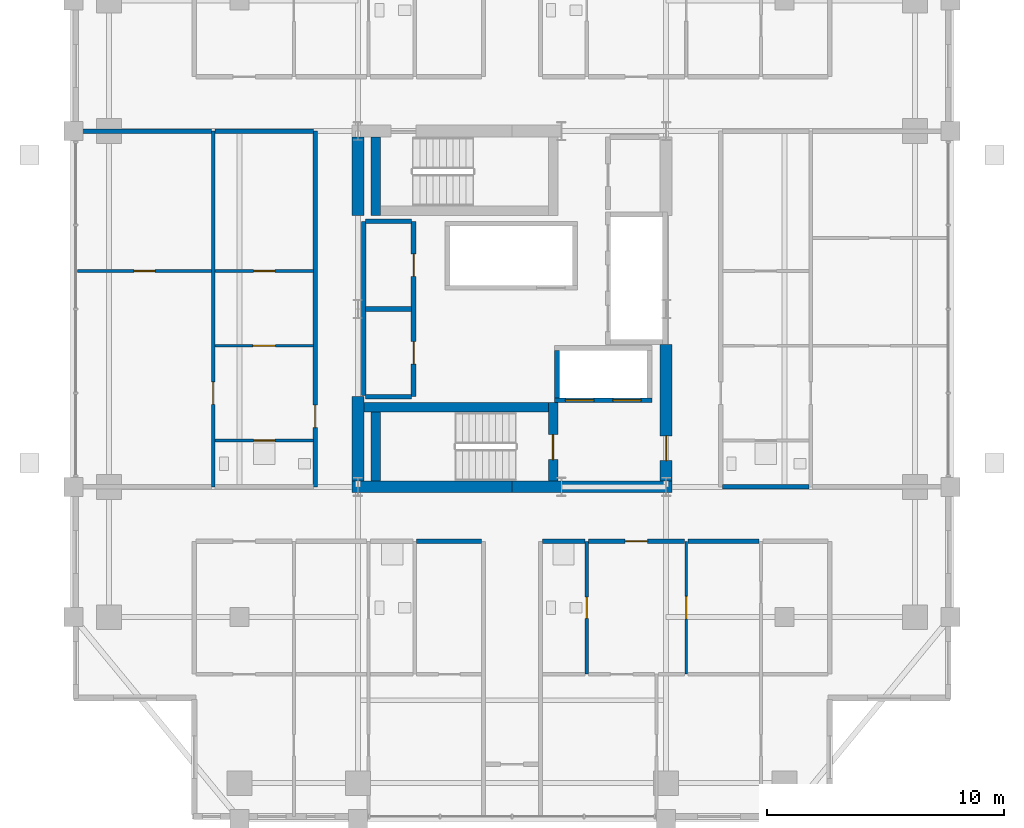
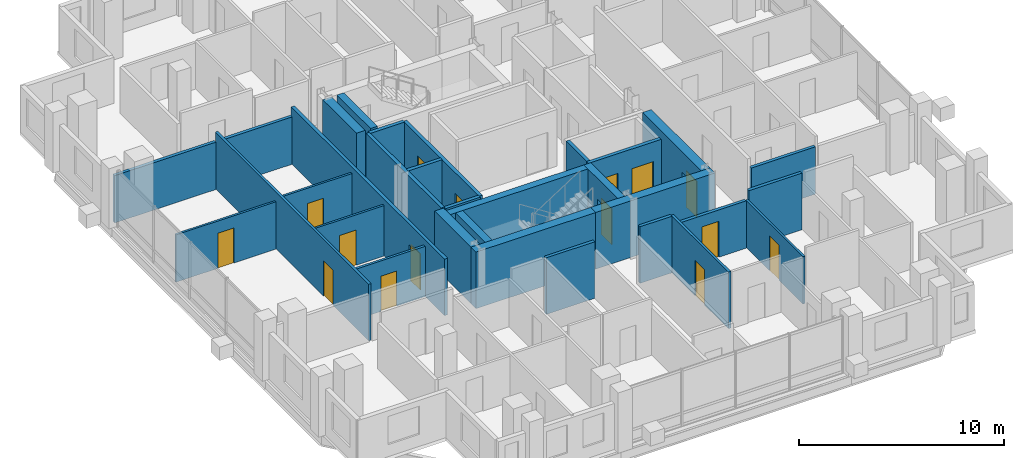
# One storey, part 19 of 24: 31 walls, 15 doors, 15 openings.
"""IFC4 building model written with IfcOpenShell, lengths in metres."""

from ifc_helpers import new_model, si_unit, direction, frame, frame_2d, origin, place, context, subcontext, project, spatial, rectangle, extrude, material, layer, layer_set, type_object, element, fill, save


model = new_model("IFC4")

# Units and contexts
model_context = context("Model", 3, precision=1e-05, world=origin(), true_north=direction((0.0, 1.0)))
body_context = subcontext(model_context, "Body", "Model", "MODEL_VIEW")
ifc_project = project(units=[si_unit("LENGTHUNIT", "METRE"), si_unit("AREAUNIT", "SQUARE_METRE"), si_unit("VOLUMEUNIT", "CUBIC_METRE"), si_unit("PLANEANGLEUNIT", "RADIAN"), si_unit("MASSUNIT", "GRAM", prefix="KILO")], contexts=[model_context])

# Site, building, storey
site_placement = place(None, origin())
site = spatial("IfcSite", under=ifc_project, at=site_placement, CompositionType="ELEMENT")
building_placement = place(site_placement, origin())
building = spatial("IfcBuilding", under=site, at=building_placement, Name="Barlavira Tower and Art Museum", CompositionType="ELEMENT")
storey_placement = place(building_placement, frame((0.0, 0.0, 169.199951171875)))
storey = spatial("IfcBuildingStorey", under=building, at=storey_placement, Name="L43", CompositionType="ELEMENT", Elevation=169.199951171875)

# Wall, opening, door
ifc_material_1 = material(Name="Gypsum acoustic stud partition", Category="gypsum")
ifc_layer_1 = layer(ifc_material_1, 0.1201171875, Name="Gypsum acoustic stud partition")
ifc_layer_set_1 = layer_set([ifc_layer_1], Name="Gypsum acoustic stud partition")
wall_type_1 = type_object("IfcWallType", Name="Apartment Internal Acoustic Partition 120", PredefinedType="PARTITIONING", material=ifc_layer_set_1)
wall_1_placement = place(storey_placement, frame((7.35009765625, -15.39990234375, 0.0), z_axis=(0.0, 0.0, 1.0), x_axis=(0.0, 1.0, 0.0)))
wall_1 = element("IfcWall", 1, at=wall_1_placement, inside=storey, type_object=wall_type_1, Name="L43 Partition Wall 21", PredefinedType="PARTITIONING", context=body_context, shape_type="SweptSolid", body=[
    extrude(rectangle(XDim=5.599853515625, YDim=0.1201171875, at=frame_2d((2.7998046875, 0.0))), origin(), (0.0, 0.0, 1.0), 2.825927734375),
])
opening_1_placement = place(wall_1_placement, frame((2.324951171875, 0.0, 0.0)))
opening_1 = element("IfcOpeningElement", 2, at=opening_1_placement, cuts=wall_1, Name="Opening D-02", PredefinedType="OPENING", context=body_context, shape_type="SweptSolid", body=[
    extrude(rectangle(XDim=0.949951171875, YDim=2.10009765625, at=frame_2d((0.47509765625, 1.050048828125))), frame((0.0, 0.070068359375, 0.0), z_axis=(0.0, -1.0, 0.0), x_axis=(1.0, 0.0, 0.0)), (0.0, 0.0, 1.0), 0.14013671875),
])
ifc_material_2 = material(Name="Engineered coastal hardwood", Category="wood")
door_type_1 = type_object("IfcDoorType", Name="Living and Salon Glazed-Leaf Door 950x2100", OperationType="NOTDEFINED", PredefinedType="DOOR", material=ifc_material_2)
door_1_placement = place(opening_1_placement, origin())
door_1 = element("IfcDoor", 3, at=door_1_placement, inside=storey, type_object=door_type_1, Name="Apartment SE1 Kitchen Door", OperationType="SINGLE_SWING_LEFT", OverallHeight=2.10009765625, OverallWidth=0.949951171875, PredefinedType="DOOR", context=body_context, shape_type="SweptSolid", body=[
    extrude(rectangle(XDim=0.949951171875, YDim=2.10009765625, at=frame_2d((0.47509765625, 1.050048828125))), frame((0.0, 0.02490234375, 0.0), z_axis=(0.0, -1.0, 0.0), x_axis=(1.0, 0.0, 0.0)), (0.0, 0.0, 1.0), 0.050048828125),
])
fill(opening_1, door_1)

wall_2_placement = place(storey_placement, frame((-12.52001953125, -1.550048828125, 0.0), z_axis=(0.0, 0.0, 1.0), x_axis=(1.0, 0.0, 0.0)))
wall_2 = element("IfcWall", 4, at=wall_2_placement, inside=storey, type_object=wall_type_1, Name="L43 Partition Wall 54", PredefinedType="PARTITIONING", context=body_context, shape_type="SweptSolid", body=[
    extrude(rectangle(XDim=4.14013671875, YDim=0.1201171875, at=frame_2d((2.070068359375, 0.0))), origin(), (0.0, 0.0, 1.0), 3.010986328125),
])
opening_2_placement = place(wall_2_placement, frame((1.594970703125, 0.0, 0.0)))
opening_2 = element("IfcOpeningElement", 5, at=opening_2_placement, cuts=wall_2, Name="Opening D-02", PredefinedType="OPENING", context=body_context, shape_type="SweptSolid", body=[
    extrude(rectangle(XDim=0.949951171875, YDim=2.10009765625, at=frame_2d((0.47509765625, 1.050048828125))), frame((0.0, 0.070068359375, 0.0), z_axis=(0.0, -1.0, 0.0), x_axis=(1.0, 0.0, 0.0)), (0.0, 0.0, 1.0), 0.14013671875),
])
door_2_placement = place(opening_2_placement, origin())
door_2 = element("IfcDoor", 6, at=door_2_placement, inside=storey, type_object=door_type_1, Name="Apartment W1 Kitchen Door", OperationType="SINGLE_SWING_RIGHT", OverallHeight=2.10009765625, OverallWidth=0.949951171875, PredefinedType="DOOR", context=body_context, shape_type="SweptSolid", body=[
    extrude(rectangle(XDim=0.949951171875, YDim=2.10009765625, at=frame_2d((0.47509765625, 1.050048828125))), frame((0.0, 0.02490234375, 0.0), z_axis=(0.0, -1.0, 0.0), x_axis=(1.0, 0.0, 0.0)), (0.0, 0.0, 1.0), 0.050048828125),
])
fill(opening_2, door_2)

wall_3_placement = place(storey_placement, frame((-18.320068359375, 1.60009765625, 0.0), z_axis=(0.0, 0.0, 1.0), x_axis=(1.0, 0.0, 0.0)))
wall_3 = element("IfcWall", 7, at=wall_3_placement, inside=storey, type_object=wall_type_1, Name="L43 Partition Wall 58", PredefinedType="PARTITIONING", context=body_context, shape_type="SweptSolid", body=[
    extrude(rectangle(XDim=5.64013671875, YDim=0.1201171875, at=frame_2d((2.820068359375, 0.0))), origin(), (0.0, 0.0, 1.0), 2.825927734375),
])
opening_3_placement = place(wall_3_placement, frame((2.3701171875, 0.0, 0.0)))
opening_3 = element("IfcOpeningElement", 8, at=opening_3_placement, cuts=wall_3, Name="Opening D-01", PredefinedType="OPENING", context=body_context, shape_type="SweptSolid", body=[
    extrude(rectangle(XDim=0.89990234375, YDim=2.10009765625, at=frame_2d((0.449951171875, 1.050048828125))), frame((0.0, 0.070068359375, 0.0), z_axis=(0.0, -1.0, 0.0), x_axis=(1.0, 0.0, 0.0)), (0.0, 0.0, 1.0), 0.14013671875),
])
door_type_2 = type_object("IfcDoorType", Name="Internal Bedroom Timber Flush Door 900x2100", OperationType="NOTDEFINED", PredefinedType="DOOR", material=ifc_material_2)
door_3_placement = place(opening_3_placement, origin())
door_3 = element("IfcDoor", 9, at=door_3_placement, inside=storey, type_object=door_type_2, Name="Apartment W1 Bedroom 1 Door", OperationType="SINGLE_SWING_LEFT", OverallHeight=2.10009765625, OverallWidth=0.89990234375, PredefinedType="DOOR", context=body_context, shape_type="SweptSolid", body=[
    extrude(rectangle(XDim=0.89990234375, YDim=2.10009765625, at=frame_2d((0.449951171875, 1.050048828125))), frame((0.0, 0.02490234375, 0.0), z_axis=(0.0, -1.0, 0.0), x_axis=(1.0, 0.0, 0.0)), (0.0, 0.0, 1.0), 0.050048828125),
])
fill(opening_3, door_3)

wall_4_placement = place(storey_placement, frame((-12.52001953125, 1.60009765625, 0.0), z_axis=(0.0, 0.0, 1.0), x_axis=(1.0, 0.0, 0.0)))
wall_4 = element("IfcWall", 10, at=wall_4_placement, inside=storey, type_object=wall_type_1, Name="L43 Partition Wall 59", PredefinedType="PARTITIONING", context=body_context, shape_type="SweptSolid", body=[
    extrude(rectangle(XDim=4.14013671875, YDim=0.1201171875, at=frame_2d((2.070068359375, 0.0))), origin(), (0.0, 0.0, 1.0), 3.010986328125),
])
opening_4_placement = place(wall_4_placement, frame((1.6201171875, 0.0, 0.0)))
opening_4 = element("IfcOpeningElement", 11, at=opening_4_placement, cuts=wall_4, Name="Opening D-01", PredefinedType="OPENING", context=body_context, shape_type="SweptSolid", body=[
    extrude(rectangle(XDim=0.89990234375, YDim=2.10009765625, at=frame_2d((0.449951171875, 1.050048828125))), frame((0.0, 0.070068359375, 0.0), z_axis=(0.0, -1.0, 0.0), x_axis=(1.0, 0.0, 0.0)), (0.0, 0.0, 1.0), 0.14013671875),
])
door_4_placement = place(opening_4_placement, origin())
door_4 = element("IfcDoor", 12, at=door_4_placement, inside=storey, type_object=door_type_2, Name="Apartment W1 Walk-In Dressing Room Door", OperationType="SINGLE_SWING_LEFT", OverallHeight=2.10009765625, OverallWidth=0.89990234375, PredefinedType="DOOR", context=body_context, shape_type="SweptSolid", body=[
    extrude(rectangle(XDim=0.89990234375, YDim=2.10009765625, at=frame_2d((0.449951171875, 1.050048828125))), frame((0.0, 0.02490234375, 0.0), z_axis=(0.0, -1.0, 0.0), x_axis=(1.0, 0.0, 0.0)), (0.0, 0.0, 1.0), 0.050048828125),
])
fill(opening_4, door_4)

# Walls
ifc_material_3 = material(Name="Concrete C60", Category="concrete")
ifc_layer_2 = layer(ifc_material_3, 0.5, Name="Concrete C60")
ifc_layer_set_2 = layer_set([ifc_layer_2], Name="Concrete C60")
wall_type_2 = type_object("IfcWallType", Name="Core Structural Shear Wall 500 Concrete C60", PredefinedType="SHEAR", material=ifc_layer_set_2)
for number, where, z_axis, x_axis, name in (
    (13, (-6.75, -7.5, 0.0), (0.0, 0.0, 1.0), (1.0, 0.0, 0.0), "L43 Core Shear Wall CS-SW"),
    (14, (0.0, -7.5, 0.0), (0.0, 0.0, 1.0), (1.0, 0.0, 0.0), "L43 Core Shear Wall CS-SE"),
):
    element("IfcWall", number, at=place(storey_placement, frame(where, z_axis=z_axis, x_axis=x_axis)), inside=storey, type_object=wall_type_2, Name=name, PredefinedType="SHEAR", context=body_context, shape_type="SweptSolid", body=[
        extrude(rectangle(XDim=6.75, YDim=0.5, at=frame_2d((3.375, 0.0))), origin(), (0.0, 0.0, 1.0), 3.380126953125),
    ])
wall_5_placement = place(storey_placement, frame((-6.5, -7.25, 0.0), z_axis=(0.0, 0.0, 1.0), x_axis=(0.0, 1.0, 0.0)))
element("IfcWall", 15, at=wall_5_placement, inside=storey, type_object=wall_type_2, Name="L43 Core Shear Wall CS-W1", PredefinedType="SHEAR", context=body_context, shape_type="SweptSolid", body=[
    extrude(rectangle(XDim=3.550048828125, YDim=0.5, at=frame_2d((1.77490234375, 0.0))), origin(), (0.0, 0.0, 1.0), 3.380126953125),
])
wall_6_placement = place(storey_placement, frame((-6.5, 3.949951171875, 0.0), z_axis=(0.0, 0.0, 1.0), x_axis=(0.0, 1.0, 0.0)))
element("IfcWall", 16, at=wall_6_placement, inside=storey, type_object=wall_type_2, Name="L43 Core Shear Wall CS-W2", PredefinedType="SHEAR", context=body_context, shape_type="SweptSolid", body=[
    extrude(rectangle(XDim=3.300048828125, YDim=0.5, at=frame_2d((1.64990234375, 0.0))), origin(), (0.0, 0.0, 1.0), 3.380126953125),
])

# Wall, opening, door
wall_7_placement = place(storey_placement, frame((6.5, -7.25, 0.0), z_axis=(0.0, 0.0, 1.0), x_axis=(0.0, 1.0, 0.0)))
wall_7 = element("IfcWall", 17, at=wall_7_placement, inside=storey, type_object=wall_type_2, Name="L43 Core Shear Wall CS-E1", PredefinedType="SHEAR", context=body_context, shape_type="SweptSolid", body=[
    extrude(rectangle(XDim=5.75, YDim=0.5, at=frame_2d((2.875, 0.0))), origin(), (0.0, 0.0, 1.0), 3.380126953125),
])
opening_5_placement = place(wall_7_placement, frame((0.85009765625, 0.0, 0.0)))
opening_5 = element("IfcOpeningElement", 18, at=opening_5_placement, cuts=wall_7, Name="Opening FD-90", PredefinedType="OPENING", context=body_context, shape_type="SweptSolid", body=[
    extrude(rectangle(XDim=1.050048828125, YDim=2.14990234375, at=frame_2d((0.52490234375, 1.074951171875))), frame((0.0, 0.260009765625, 0.0), z_axis=(0.0, -1.0, 0.0), x_axis=(1.0, 0.0, 0.0)), (0.0, 0.0, 1.0), 0.52001953125),
])
ifc_material_4 = material(Name="Brushed stainless steel", Category="steel")
door_type_3 = type_object("IfcDoorType", Name="Stair and Refuge Fire Door 1050x2150 FD90S", OperationType="NOTDEFINED", PredefinedType="DOOR", material=ifc_material_4)
door_5_placement = place(opening_5_placement, origin())
door_5 = element("IfcDoor", 19, at=door_5_placement, inside=storey, type_object=door_type_3, Name="L43 Firefighting Lobby Entry Fire Door", OperationType="SINGLE_SWING_LEFT", OverallHeight=2.14990234375, OverallWidth=1.050048828125, PredefinedType="DOOR", context=body_context, shape_type="SweptSolid", body=[
    extrude(rectangle(XDim=1.050048828125, YDim=2.14990234375, at=frame_2d((0.52490234375, 1.074951171875))), frame((0.0, 0.02490234375, 0.0), z_axis=(0.0, -1.0, 0.0), x_axis=(1.0, 0.0, 0.0)), (0.0, 0.0, 1.0), 0.050048828125),
])
fill(opening_5, door_5)

# Wall, openings, doors
ifc_material_5 = material(Name="Autoclaved aerated concrete masonry", Category="masonry")
ifc_layer_3 = layer(ifc_material_5, 0.199951171875, Name="Autoclaved aerated concrete masonry")
ifc_layer_set_3 = layer_set([ifc_layer_3], Name="Autoclaved aerated concrete masonry")
wall_type_3 = type_object("IfcWallType", Name="Fire Compartment and Shaft Wall 200", PredefinedType="SOLIDWALL", material=ifc_layer_set_3)
wall_8_placement = place(storey_placement, frame((1.800048828125, -3.85009765625, 0.0), z_axis=(0.0, 0.0, 1.0), x_axis=(1.0, 0.0, 0.0)))
wall_8 = element("IfcWall", 20, at=wall_8_placement, inside=storey, type_object=wall_type_3, Name="L43 Firefighting Lift Front Shaft Wall", PredefinedType="SOLIDWALL", context=body_context, shape_type="SweptSolid", body=[
    extrude(rectangle(XDim=4.099853515625, YDim=0.199951171875, at=frame_2d((2.0498046875, 0.0))), origin(), (0.0, 0.0, 1.0), 3.380126953125),
])
opening_6_placement = place(wall_8_placement, frame((0.449951171875, 0.0, 0.0)))
opening_6 = element("IfcOpeningElement", 21, at=opening_6_placement, cuts=wall_8, Name="Opening LD-F", PredefinedType="OPENING", context=body_context, shape_type="SweptSolid", body=[
    extrude(rectangle(XDim=1.199951171875, YDim=2.199951171875, at=frame_2d((0.60009765625, 1.10009765625))), frame((0.0, 0.10986328125, 0.0), z_axis=(0.0, -1.0, 0.0), x_axis=(1.0, 0.0, 0.0)), (0.0, 0.0, 1.0), 0.219970703125),
])
opening_7_placement = place(wall_8_placement, frame((2.449951171875, 0.0, 0.0)))
opening_7 = element("IfcOpeningElement", 22, at=opening_7_placement, cuts=wall_8, Name="Opening LD-F", PredefinedType="OPENING", context=body_context, shape_type="SweptSolid", body=[
    extrude(rectangle(XDim=1.199951171875, YDim=2.199951171875, at=frame_2d((0.60009765625, 1.10009765625))), frame((0.0, 0.10986328125, 0.0), z_axis=(0.0, -1.0, 0.0), x_axis=(1.0, 0.0, 0.0)), (0.0, 0.0, 1.0), 0.219970703125),
])
door_type_4 = type_object("IfcDoorType", Name="Firefighting and Service Lift Sliding Door 1200x2200 FD120", OperationType="NOTDEFINED", PredefinedType="DOOR", material=ifc_material_4)
door_6_placement = place(opening_6_placement, origin())
door_6 = element("IfcDoor", 23, at=door_6_placement, inside=storey, type_object=door_type_4, Name="L43 Firefighting Lift FF1 Sliding Door", OperationType="DOUBLE_DOOR_SLIDING", OverallHeight=2.199951171875, OverallWidth=1.199951171875, PredefinedType="DOOR", context=body_context, shape_type="SweptSolid", body=[
    extrude(rectangle(XDim=1.199951171875, YDim=2.199951171875, at=frame_2d((0.60009765625, 1.10009765625))), frame((0.0, 0.02490234375, 0.0), z_axis=(0.0, -1.0, 0.0), x_axis=(1.0, 0.0, 0.0)), (0.0, 0.0, 1.0), 0.050048828125),
])
fill(opening_6, door_6)
door_7_placement = place(opening_7_placement, origin())
door_7 = element("IfcDoor", 24, at=door_7_placement, inside=storey, type_object=door_type_4, Name="L43 Firefighting Lift FF2 Sliding Door", OperationType="DOUBLE_DOOR_SLIDING", OverallHeight=2.199951171875, OverallWidth=1.199951171875, PredefinedType="DOOR", context=body_context, shape_type="SweptSolid", body=[
    extrude(rectangle(XDim=1.199951171875, YDim=2.199951171875, at=frame_2d((0.60009765625, 1.10009765625))), frame((0.0, 0.02490234375, 0.0), z_axis=(0.0, -1.0, 0.0), x_axis=(1.0, 0.0, 0.0)), (0.0, 0.0, 1.0), 0.050048828125),
])
fill(opening_7, door_7)

# Walls
wall_9_placement = place(storey_placement, frame((1.89990234375, -3.75, 0.0), z_axis=(0.0, 0.0, 1.0), x_axis=(0.0, 1.0, 0.0)))
element("IfcWall", 25, at=wall_9_placement, inside=storey, type_object=wall_type_3, Name="L43 Firefighting Lift West Shaft Wall", PredefinedType="SOLIDWALL", context=body_context, shape_type="SweptSolid", body=[
    extrude(rectangle(XDim=2.0, YDim=0.199951171875, at=frame_2d((1.0, 0.0))), origin(), (0.0, 0.0, 1.0), 3.380126953125),
])
wall_10_placement = place(storey_placement, frame((-6.25, -3.639892578125, 0.0), z_axis=(0.0, 0.0, 1.0), x_axis=(0.0, 1.0, 0.0)))
element("IfcWall", 26, at=wall_10_placement, inside=storey, type_object=wall_type_3, Name="L43 Partition Wall 7", PredefinedType="SOLIDWALL", context=body_context, shape_type="SweptSolid", body=[
    extrude(rectangle(XDim=7.33984375, YDim=0.199951171875, at=frame_2d((3.669921875, 0.0))), origin(), (0.0, 0.0, 1.0), 3.380126953125),
])

# Wall, openings, doors
wall_11_placement = place(storey_placement, frame((-4.14990234375, -3.699951171875, 0.0), z_axis=(0.0, 0.0, 1.0), x_axis=(0.0, 1.0, 0.0)))
wall_11 = element("IfcWall", 27, at=wall_11_placement, inside=storey, type_object=wall_type_3, Name="L43 Partition Wall 10", PredefinedType="SOLIDWALL", context=body_context, shape_type="SweptSolid", body=[
    extrude(rectangle(XDim=7.39990234375, YDim=0.199951171875, at=frame_2d((3.699951171875, 0.0))), origin(), (0.0, 0.0, 1.0), 3.380126953125),
])
opening_8_placement = place(wall_11_placement, frame((1.375, 0.0, 0.0)))
opening_8 = element("IfcOpeningElement", 28, at=opening_8_placement, cuts=wall_11, Name="Opening FD-60", PredefinedType="OPENING", context=body_context, shape_type="SweptSolid", body=[
    extrude(rectangle(XDim=0.949951171875, YDim=2.14990234375, at=frame_2d((0.47509765625, 1.074951171875))), frame((0.0, 0.10986328125, 0.0), z_axis=(0.0, -1.0, 0.0), x_axis=(1.0, 0.0, 0.0)), (0.0, 0.0, 1.0), 0.219970703125),
])
opening_9_placement = place(wall_11_placement, frame((5.074951171875, 0.0, 0.0)))
opening_9 = element("IfcOpeningElement", 29, at=opening_9_placement, cuts=wall_11, Name="Opening FD-60", PredefinedType="OPENING", context=body_context, shape_type="SweptSolid", body=[
    extrude(rectangle(XDim=0.949951171875, YDim=2.14990234375, at=frame_2d((0.47509765625, 1.074951171875))), frame((0.0, 0.10986328125, 0.0), z_axis=(0.0, -1.0, 0.0), x_axis=(1.0, 0.0, 0.0)), (0.0, 0.0, 1.0), 0.219970703125),
])
door_type_5 = type_object("IfcDoorType", Name="Apartment Entrance and Riser Fire Door 950x2150 FD60S", OperationType="NOTDEFINED", PredefinedType="DOOR", material=ifc_material_4)
door_8_placement = place(opening_8_placement, origin())
door_8 = element("IfcDoor", 30, at=door_8_placement, inside=storey, type_object=door_type_5, Name="Reclaimed Core Linen and Amenity Store Door", OperationType="SINGLE_SWING_RIGHT", OverallHeight=2.14990234375, OverallWidth=0.949951171875, PredefinedType="DOOR", context=body_context, shape_type="SweptSolid", body=[
    extrude(rectangle(XDim=0.949951171875, YDim=2.14990234375, at=frame_2d((0.47509765625, 1.074951171875))), frame((0.0, 0.02490234375, 0.0), z_axis=(0.0, -1.0, 0.0), x_axis=(1.0, 0.0, 0.0)), (0.0, 0.0, 1.0), 0.050048828125),
])
fill(opening_8, door_8)
door_9_placement = place(opening_9_placement, origin())
door_9 = element("IfcDoor", 31, at=door_9_placement, inside=storey, type_object=door_type_5, Name="Reclaimed Core Telecom and BMS Room Door", OperationType="SINGLE_SWING_LEFT", OverallHeight=2.14990234375, OverallWidth=0.949951171875, PredefinedType="DOOR", context=body_context, shape_type="SweptSolid", body=[
    extrude(rectangle(XDim=0.949951171875, YDim=2.14990234375, at=frame_2d((0.47509765625, 1.074951171875))), frame((0.0, 0.02490234375, 0.0), z_axis=(0.0, -1.0, 0.0), x_axis=(1.0, 0.0, 0.0)), (0.0, 0.0, 1.0), 0.050048828125),
])
fill(opening_9, door_9)

# Walls
for number, where, z_axis, x_axis, name in (
    (32, (-6.169921875, -3.699951171875, 0.0), (0.0, 0.0, 1.0), (1.0, 0.0, 0.0), "L43 Partition Wall 53"),
    (33, (-6.169921875, 0.0, 0.0), (0.0, 0.0, 1.0), (1.0, 0.0, 0.0), "L43 Partition Wall 57"),
    (34, (-6.169921875, 3.699951171875, 0.0), (0.0, 0.0, 1.0), (1.0, 0.0, 0.0), "L43 Partition Wall 62"),
):
    element("IfcWall", number, at=place(storey_placement, frame(where, z_axis=z_axis, x_axis=x_axis)), inside=storey, type_object=wall_type_3, Name=name, PredefinedType="SOLIDWALL", context=body_context, shape_type="SweptSolid", body=[
        extrude(rectangle(XDim=1.93994140625, YDim=0.199951171875, at=frame_2d((0.969970703125, 0.0))), origin(), (0.0, 0.0, 1.0), 3.380126953125),
    ])

# Wall, opening, door
ifc_layer_4 = layer(ifc_material_1, 0.179931640625, Name="Gypsum acoustic stud partition")
ifc_layer_set_4 = layer_set([ifc_layer_4], Name="Gypsum acoustic stud partition")
wall_type_4 = type_object("IfcWallType", Name="Inter-Tenancy Party Partition Wall 180", PredefinedType="PARTITIONING", material=ifc_layer_set_4)
wall_12_placement = place(storey_placement, frame((-8.300048828125, -7.5, 0.0), z_axis=(0.0, 0.0, 1.0), x_axis=(0.0, 1.0, 0.0)))
wall_12 = element("IfcWall", 35, at=wall_12_placement, inside=storey, type_object=wall_type_4, Name="L43 Partition Wall 6", PredefinedType="PARTITIONING", context=body_context, shape_type="SweptSolid", body=[
    extrude(rectangle(XDim=15.0, YDim=0.179931640625, at=frame_2d((7.5, 0.0))), origin(), (0.0, 0.0, 1.0), 3.380126953125),
])
opening_10_placement = place(wall_12_placement, frame((2.4951171875, 0.0, 0.0)))
opening_10 = element("IfcOpeningElement", 36, at=opening_10_placement, cuts=wall_12, Name="Opening FD-60", PredefinedType="OPENING", context=body_context, shape_type="SweptSolid", body=[
    extrude(rectangle(XDim=0.949951171875, YDim=2.14990234375, at=frame_2d((0.47509765625, 1.074951171875))), frame((0.0, 0.10009765625, 0.0), z_axis=(0.0, -1.0, 0.0), x_axis=(1.0, 0.0, 0.0)), (0.0, 0.0, 1.0), 0.199951171875),
])
door_10_placement = place(opening_10_placement, origin())
door_10 = element("IfcDoor", 37, at=door_10_placement, inside=storey, type_object=door_type_5, Name="Apartment Entrance Hall W1 Door", OperationType="SINGLE_SWING_LEFT", OverallHeight=2.14990234375, OverallWidth=0.949951171875, PredefinedType="DOOR", context=body_context, shape_type="SweptSolid", body=[
    extrude(rectangle(XDim=0.949951171875, YDim=2.14990234375, at=frame_2d((0.47509765625, 1.074951171875))), frame((0.0, 0.02490234375, 0.0), z_axis=(0.0, -1.0, 0.0), x_axis=(1.0, 0.0, 0.0)), (0.0, 0.0, 1.0), 0.050048828125),
])
fill(opening_10, door_10)

# Walls
wall_13_placement = place(storey_placement, frame((-4.02001953125, -9.800048828125, 0.0), z_axis=(0.0, 0.0, 1.0), x_axis=(1.0, 0.0, 0.0)))
element("IfcWall", 38, at=wall_13_placement, inside=storey, type_object=wall_type_4, Name="L43 Partition Wall 42", PredefinedType="PARTITIONING", context=body_context, shape_type="SweptSolid", body=[
    extrude(rectangle(XDim=2.739990234375, YDim=0.179931640625, at=frame_2d((1.3701171875, 0.0))), origin(), (0.0, 0.0, 1.0), 3.380126953125),
])
wall_14_placement = place(storey_placement, frame((1.280029296875, -9.800048828125, 0.0), z_axis=(0.0, 0.0, 1.0), x_axis=(1.0, 0.0, 0.0)))
element("IfcWall", 39, at=wall_14_placement, inside=storey, type_object=wall_type_4, Name="L43 Partition Wall 43", PredefinedType="PARTITIONING", context=body_context, shape_type="SweptSolid", body=[
    extrude(rectangle(XDim=1.7900390625, YDim=0.179931640625, at=frame_2d((0.89501953125, 0.0))), origin(), (0.0, 0.0, 1.0), 3.380126953125),
])

# Wall, opening, door
wall_15_placement = place(storey_placement, frame((3.22998046875, -9.800048828125, 0.0), z_axis=(0.0, 0.0, 1.0), x_axis=(1.0, 0.0, 0.0)))
wall_15 = element("IfcWall", 40, at=wall_15_placement, inside=storey, type_object=wall_type_4, Name="L43 Partition Wall 44", PredefinedType="PARTITIONING", context=body_context, shape_type="SweptSolid", body=[
    extrude(rectangle(XDim=4.0400390625, YDim=0.179931640625, at=frame_2d((2.02001953125, 0.0))), origin(), (0.0, 0.0, 1.0), 2.825927734375),
])
opening_11_placement = place(wall_15_placement, frame((1.544921875, 0.0, 0.0)))
opening_11 = element("IfcOpeningElement", 41, at=opening_11_placement, cuts=wall_15, Name="Opening FD-60", PredefinedType="OPENING", context=body_context, shape_type="SweptSolid", body=[
    extrude(rectangle(XDim=0.949951171875, YDim=2.14990234375, at=frame_2d((0.47509765625, 1.074951171875))), frame((0.0, 0.10009765625, 0.0), z_axis=(0.0, -1.0, 0.0), x_axis=(1.0, 0.0, 0.0)), (0.0, 0.0, 1.0), 0.199951171875),
])
door_11_placement = place(opening_11_placement, origin())
door_11 = element("IfcDoor", 42, at=door_11_placement, inside=storey, type_object=door_type_5, Name="Apartment Entrance Hall SE1 Door", OperationType="SINGLE_SWING_RIGHT", OverallHeight=2.14990234375, OverallWidth=0.949951171875, PredefinedType="DOOR", context=body_context, shape_type="SweptSolid", body=[
    extrude(rectangle(XDim=0.949951171875, YDim=2.14990234375, at=frame_2d((0.47509765625, 1.074951171875))), frame((0.0, 0.02490234375, 0.0), z_axis=(0.0, -1.0, 0.0), x_axis=(1.0, 0.0, 0.0)), (0.0, 0.0, 1.0), 0.050048828125),
])
fill(opening_11, door_11)

# Walls
wall_16_placement = place(storey_placement, frame((7.429931640625, -9.800048828125, 0.0), z_axis=(0.0, 0.0, 1.0), x_axis=(1.0, 0.0, 0.0)))
element("IfcWall", 43, at=wall_16_placement, inside=storey, type_object=wall_type_4, Name="L43 Partition Wall 45", PredefinedType="PARTITIONING", context=body_context, shape_type="SweptSolid", body=[
    extrude(rectangle(XDim=2.989990234375, YDim=0.179931640625, at=frame_2d((1.4951171875, 0.0))), origin(), (0.0, 0.0, 1.0), 3.380126953125),
])
wall_17_placement = place(storey_placement, frame((8.8798828125, -7.5, 0.0), z_axis=(0.0, 0.0, 1.0), x_axis=(1.0, 0.0, 0.0)))
element("IfcWall", 44, at=wall_17_placement, inside=storey, type_object=wall_type_4, Name="L43 Partition Wall 49", PredefinedType="PARTITIONING", context=body_context, shape_type="SweptSolid", body=[
    extrude(rectangle(XDim=3.64013671875, YDim=0.179931640625, at=frame_2d((1.820068359375, 0.0))), origin(), (0.0, 0.0, 1.0), 2.825927734375),
])
wall_18_placement = place(storey_placement, frame((-18.39990234375, 7.5, 0.0), z_axis=(0.0, 0.0, 1.0), x_axis=(1.0, 0.0, 0.0)))
element("IfcWall", 45, at=wall_18_placement, inside=storey, type_object=wall_type_4, Name="L43 Partition Wall 64", PredefinedType="PARTITIONING", context=body_context, shape_type="SweptSolid", body=[
    extrude(rectangle(XDim=5.719970703125, YDim=0.179931640625, at=frame_2d((2.85986328125, 0.0))), origin(), (0.0, 0.0, 1.0), 2.825927734375),
])
wall_19_placement = place(storey_placement, frame((-12.52001953125, 7.5, 0.0), z_axis=(0.0, 0.0, 1.0), x_axis=(1.0, 0.0, 0.0)))
element("IfcWall", 46, at=wall_19_placement, inside=storey, type_object=wall_type_4, Name="L43 Partition Wall 65", PredefinedType="PARTITIONING", context=body_context, shape_type="SweptSolid", body=[
    extrude(rectangle(XDim=4.14013671875, YDim=0.179931640625, at=frame_2d((2.070068359375, 0.0))), origin(), (0.0, 0.0, 1.0), 2.825927734375),
])

# Wall, opening, door
ifc_layer_5 = layer(ifc_material_1, 0.139892578125, Name="Gypsum acoustic stud partition")
ifc_layer_set_5 = layer_set([ifc_layer_5], Name="Gypsum acoustic stud partition")
wall_type_5 = type_object("IfcWallType", Name="Moisture-Resistant Bathroom Partition 140", PredefinedType="PARTITIONING", material=ifc_layer_set_5)
wall_20_placement = place(storey_placement, frame((-12.60009765625, -7.5, 0.0), z_axis=(0.0, 0.0, 1.0), x_axis=(0.0, 1.0, 0.0)))
wall_20 = element("IfcWall", 47, at=wall_20_placement, inside=storey, type_object=wall_type_5, Name="L43 Partition Wall 3", PredefinedType="PARTITIONING", context=body_context, shape_type="SweptSolid", body=[
    extrude(rectangle(XDim=15.0, YDim=0.139892578125, at=frame_2d((7.5, 0.0))), origin(), (0.0, 0.0, 1.0), 3.380126953125),
])
opening_12_placement = place(wall_20_placement, frame((3.47509765625, 0.0, 0.0)))
opening_12 = element("IfcOpeningElement", 48, at=opening_12_placement, cuts=wall_20, Name="Opening D-02", PredefinedType="OPENING", context=body_context, shape_type="SweptSolid", body=[
    extrude(rectangle(XDim=0.949951171875, YDim=2.10009765625, at=frame_2d((0.47509765625, 1.050048828125))), frame((0.0, 0.080078125, 0.0), z_axis=(0.0, -1.0, 0.0), x_axis=(1.0, 0.0, 0.0)), (0.0, 0.0, 1.0), 0.159912109375),
])
door_12_placement = place(opening_12_placement, origin())
door_12 = element("IfcDoor", 49, at=door_12_placement, inside=storey, type_object=door_type_1, Name="Apartment W1 Living Lounge Door", OperationType="SINGLE_SWING_RIGHT", OverallHeight=2.10009765625, OverallWidth=0.949951171875, PredefinedType="DOOR", context=body_context, shape_type="SweptSolid", body=[
    extrude(rectangle(XDim=0.949951171875, YDim=2.10009765625, at=frame_2d((0.47509765625, 1.050048828125))), frame((0.0, 0.02490234375, 0.0), z_axis=(0.0, -1.0, 0.0), x_axis=(1.0, 0.0, 0.0)), (0.0, 0.0, 1.0), 0.050048828125),
])
fill(opening_12, door_12)

wall_21_placement = place(storey_placement, frame((3.14990234375, -15.39990234375, 0.0), z_axis=(0.0, 0.0, 1.0), x_axis=(0.0, 1.0, 0.0)))
wall_21 = element("IfcWall", 50, at=wall_21_placement, inside=storey, type_object=wall_type_5, Name="L43 Partition Wall 17", PredefinedType="PARTITIONING", context=body_context, shape_type="SweptSolid", body=[
    extrude(rectangle(XDim=5.599853515625, YDim=0.139892578125, at=frame_2d((2.7998046875, 0.0))), origin(), (0.0, 0.0, 1.0), 3.380126953125),
])
opening_13_placement = place(wall_21_placement, frame((2.35009765625, 0.0, 0.0)))
opening_13 = element("IfcOpeningElement", 51, at=opening_13_placement, cuts=wall_21, Name="Opening D-WC", PredefinedType="OPENING", context=body_context, shape_type="SweptSolid", body=[
    extrude(rectangle(XDim=0.89990234375, YDim=2.10009765625, at=frame_2d((0.449951171875, 1.050048828125))), frame((0.0, 0.080078125, 0.0), z_axis=(0.0, -1.0, 0.0), x_axis=(1.0, 0.0, 0.0)), (0.0, 0.0, 1.0), 0.159912109375),
])
door_type_6 = type_object("IfcDoorType", Name="Accessible Bathroom Flush Door 900x2100", OperationType="NOTDEFINED", PredefinedType="DOOR", material=ifc_material_2)
door_13_placement = place(opening_13_placement, origin())
door_13 = element("IfcDoor", 52, at=door_13_placement, inside=storey, type_object=door_type_6, Name="Apartment SE1 Hall Bathroom Door", OperationType="SINGLE_SWING_LEFT", OverallHeight=2.10009765625, OverallWidth=0.89990234375, PredefinedType="DOOR", context=body_context, shape_type="SweptSolid", body=[
    extrude(rectangle(XDim=0.89990234375, YDim=2.10009765625, at=frame_2d((0.449951171875, 1.050048828125))), frame((0.0, 0.02490234375, 0.0), z_axis=(0.0, -1.0, 0.0), x_axis=(1.0, 0.0, 0.0)), (0.0, 0.0, 1.0), 0.050048828125),
])
fill(opening_13, door_13)

wall_22_placement = place(storey_placement, frame((-12.52001953125, -5.550048828125, 0.0), z_axis=(0.0, 0.0, 1.0), x_axis=(1.0, 0.0, 0.0)))
wall_22 = element("IfcWall", 53, at=wall_22_placement, inside=storey, type_object=wall_type_5, Name="L43 Partition Wall 51", PredefinedType="PARTITIONING", context=body_context, shape_type="SweptSolid", body=[
    extrude(rectangle(XDim=4.14013671875, YDim=0.139892578125, at=frame_2d((2.070068359375, 0.0))), origin(), (0.0, 0.0, 1.0), 3.010986328125),
])
opening_14_placement = place(wall_22_placement, frame((1.6201171875, 0.0, 0.0)))
opening_14 = element("IfcOpeningElement", 54, at=opening_14_placement, cuts=wall_22, Name="Opening D-WC", PredefinedType="OPENING", context=body_context, shape_type="SweptSolid", body=[
    extrude(rectangle(XDim=0.89990234375, YDim=2.10009765625, at=frame_2d((0.449951171875, 1.050048828125))), frame((0.0, 0.080078125, 0.0), z_axis=(0.0, -1.0, 0.0), x_axis=(1.0, 0.0, 0.0)), (0.0, 0.0, 1.0), 0.159912109375),
])
door_14_placement = place(opening_14_placement, origin())
door_14 = element("IfcDoor", 55, at=door_14_placement, inside=storey, type_object=door_type_6, Name="Apartment W1 Hall Bathroom Door", OperationType="SINGLE_SWING_RIGHT", OverallHeight=2.10009765625, OverallWidth=0.89990234375, PredefinedType="DOOR", context=body_context, shape_type="SweptSolid", body=[
    extrude(rectangle(XDim=0.89990234375, YDim=2.10009765625, at=frame_2d((0.449951171875, 1.050048828125))), frame((0.0, 0.02490234375, 0.0), z_axis=(0.0, -1.0, 0.0), x_axis=(1.0, 0.0, 0.0)), (0.0, 0.0, 1.0), 0.050048828125),
])
fill(opening_14, door_14)

# Walls
ifc_material_6 = material(Name="Concrete C55", Category="concrete")
ifc_layer_6 = layer(ifc_material_6, 0.39990234375, Name="Concrete C55")
ifc_layer_set_6 = layer_set([ifc_layer_6], Name="Concrete C55")
wall_type_6 = type_object("IfcWallType", Name="Upper Core Shear Wall 400 Concrete C55", PredefinedType="SHEAR", material=ifc_layer_set_6)
wall_23_placement = place(storey_placement, frame((-5.75, -7.25, 0.0), z_axis=(0.0, 0.0, 1.0), x_axis=(0.0, 1.0, 0.0)))
element("IfcWall", 56, at=wall_23_placement, inside=storey, type_object=wall_type_6, Name="L43 ST-T1 West Half-Landing Wall", PredefinedType="SHEAR", context=body_context, shape_type="SweptSolid", body=[
    extrude(rectangle(XDim=2.89990234375, YDim=0.39990234375, at=frame_2d((1.449951171875, 0.0))), origin(), (0.0, 0.0, 1.0), 3.380126953125),
])
wall_24_placement = place(storey_placement, frame((-6.25, -4.14990234375, 0.0), z_axis=(0.0, 0.0, 1.0), x_axis=(1.0, 0.0, 0.0)))
element("IfcWall", 57, at=wall_24_placement, inside=storey, type_object=wall_type_6, Name="L43 ST-T1 North Shaft Wall", PredefinedType="SHEAR", context=body_context, shape_type="SweptSolid", body=[
    extrude(rectangle(XDim=7.780029296875, YDim=0.39990234375, at=frame_2d((3.89013671875, 0.0))), origin(), (0.0, 0.0, 1.0), 3.380126953125),
])

# Wall, opening, door
wall_25_placement = place(storey_placement, frame((1.72998046875, -7.25, 0.0), z_axis=(0.0, 0.0, 1.0), x_axis=(0.0, 1.0, 0.0)))
wall_25 = element("IfcWall", 58, at=wall_25_placement, inside=storey, type_object=wall_type_6, Name="L43 ST-T1 East Landing Wall", PredefinedType="SHEAR", context=body_context, shape_type="SweptSolid", body=[
    extrude(rectangle(XDim=3.300048828125, YDim=0.39990234375, at=frame_2d((1.64990234375, 0.0))), origin(), (0.0, 0.0, 1.0), 3.380126953125),
])
opening_15_placement = place(wall_25_placement, frame((0.89990234375, 0.0, 0.0)))
opening_15 = element("IfcOpeningElement", 59, at=opening_15_placement, cuts=wall_25, Name="Opening FD-90", PredefinedType="OPENING", context=body_context, shape_type="SweptSolid", body=[
    extrude(rectangle(XDim=1.050048828125, YDim=2.14990234375, at=frame_2d((0.52490234375, 1.074951171875))), frame((0.0, 0.2099609375, 0.0), z_axis=(0.0, -1.0, 0.0), x_axis=(1.0, 0.0, 0.0)), (0.0, 0.0, 1.0), 0.419921875),
])
door_15_placement = place(opening_15_placement, origin())
door_15 = element("IfcDoor", 60, at=door_15_placement, inside=storey, type_object=door_type_3, Name="L43 Stair ST-T1 Fire Door", OperationType="SINGLE_SWING_RIGHT", OverallHeight=2.14990234375, OverallWidth=1.050048828125, PredefinedType="DOOR", context=body_context, shape_type="SweptSolid", body=[
    extrude(rectangle(XDim=1.050048828125, YDim=2.14990234375, at=frame_2d((0.52490234375, 1.074951171875))), frame((0.0, 0.02490234375, 0.0), z_axis=(0.0, -1.0, 0.0), x_axis=(1.0, 0.0, 0.0)), (0.0, 0.0, 1.0), 0.050048828125),
])
fill(opening_15, door_15)

# Wall
wall_26_placement = place(storey_placement, frame((-5.75, 3.949951171875, 0.0), z_axis=(0.0, 0.0, 1.0), x_axis=(0.0, 1.0, 0.0)))
element("IfcWall", 61, at=wall_26_placement, inside=storey, type_object=wall_type_6, Name="L43 ST-T2 West Shaft Wall", PredefinedType="SHEAR", context=body_context, shape_type="SweptSolid", body=[
    extrude(rectangle(XDim=3.300048828125, YDim=0.39990234375, at=frame_2d((1.64990234375, 0.0))), origin(), (0.0, 0.0, 1.0), 3.380126953125),
])

save(model, "model.ifc")
